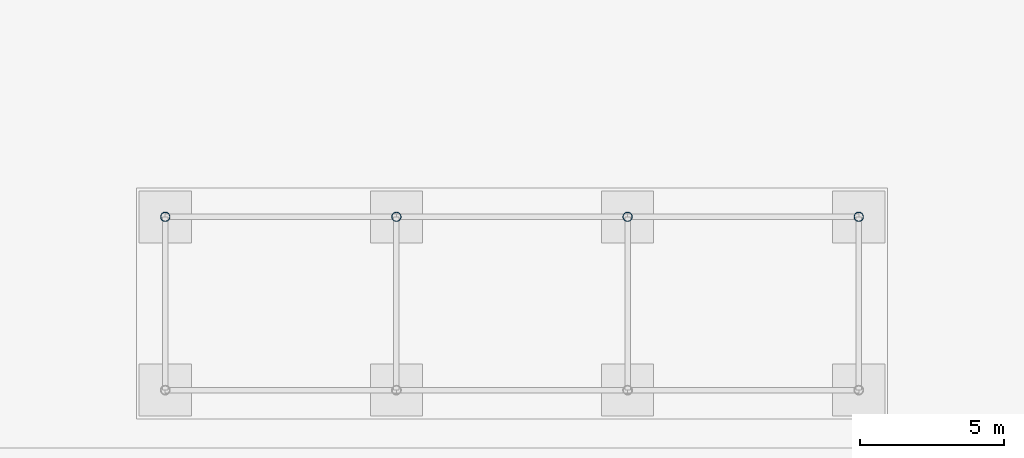
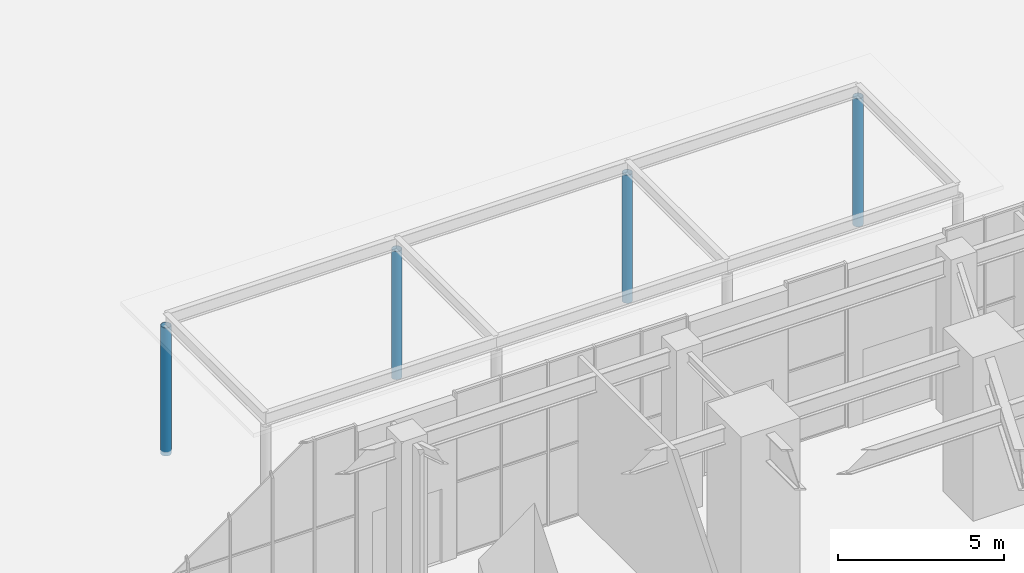
# One storey, part 4 of 43: 4 columns.
"""IFC4 building model written with IfcOpenShell, lengths in metres."""

import ifcopenshell
import ifcopenshell.guid

model = None  # the IFC model being written
_history = None  # IfcOwnerHistory: only IFC2X3 demands one
_inside = {}  # id of a spatial element -> (the spatial element, [elements in it])
_under = {}  # id of a project, library or spatial element -> (it, [spatial elements below it])
_declared = {}  # id of a project -> (the project, [libraries it declares])
_typed = {}  # id of a type object -> (the type object, [elements of that type])
_made_of = {}  # id of a material, layer set ... -> (it, [elements and type objects made of it])


def new_model(schema):
    """Start an empty IFC model of exactly this schema.

    Asked for "IFC4X3", IfcOpenShell would pick the latest addendum, in which some entities
    have other attributes; the version numbers below select the first issue.
    IFC2X3 requires an IfcOwnerHistory on every rooted entity: one is made here for all.
    """
    global model, _history
    if schema == "IFC4X3":
        model = ifcopenshell.file(schema_version=(4, 3, 0, 0))
    else:
        model = ifcopenshell.file(schema=schema)
    _inside.clear()
    _under.clear()
    _declared.clear()
    _typed.clear()
    _made_of.clear()
    _history = None
    if model.schema == "IFC2X3":
        org = make("IfcOrganization", Name="unknown")
        user = make(
            "IfcPersonAndOrganization",
            ThePerson=make("IfcPerson", FamilyName="unknown"),
            TheOrganization=org,
        )
        app = make(
            "IfcApplication",
            ApplicationDeveloper=org,
            Version="unknown",
            ApplicationFullName="unknown",
            ApplicationIdentifier="unknown",
        )
        _history = make(
            "IfcOwnerHistory",
            OwningUser=user,
            OwningApplication=app,
            ChangeAction="ADDED",
            CreationDate=0,
        )
    return model


def make(cls, **values):
    """One entity of the class cls with the attributes given. An attribute that is None is left unset."""
    return model.create_entity(
        cls, **{name: value for name, value in values.items() if value is not None}
    )


def rooted(cls, **values):
    """An entity with a GlobalId (a new one), such as an element, a storey or a relation."""
    return make(cls, GlobalId=ifcopenshell.guid.new(), OwnerHistory=_history, **values)


def si_unit(unit_type, name, prefix=None):
    """IfcSIUnit, for example si_unit("LENGTHUNIT", "METRE", prefix="MILLI")."""
    return make("IfcSIUnit", UnitType=unit_type, Prefix=prefix, Name=name)


def assignment(units):
    """IfcUnitAssignment: the units of a project."""
    return None if units is None else make("IfcUnitAssignment", Units=units)


def point(xyz):
    """IfcCartesianPoint."""
    return None if xyz is None else make("IfcCartesianPoint", Coordinates=xyz)


def direction(xyz):
    """IfcDirection."""
    return None if xyz is None else make("IfcDirection", DirectionRatios=xyz)


def frame(location, z_axis=None, x_axis=None):
    """IfcAxis2Placement3D, a coordinate frame: its origin and axes. An axis left out is left unset."""
    return make(
        "IfcAxis2Placement3D",
        Location=point(location),
        Axis=direction(z_axis),
        RefDirection=direction(x_axis),
    )


def frame_2d(location, x_axis=None):
    """IfcAxis2Placement2D, a coordinate frame in the plane: its origin and x axis."""
    return make(
        "IfcAxis2Placement2D", Location=point(location), RefDirection=direction(x_axis)
    )


def origin():
    """The frame at (0, 0, 0) with its axes left unset."""
    return frame((0.0, 0.0, 0.0))


def origin_2d():
    """The frame at (0, 0) in the plane with its x axis left unset."""
    return frame_2d((0.0, 0.0))


def place(relative_to, where):
    """IfcLocalPlacement: puts the frame where relative to a parent placement (None: the world)."""
    return make(
        "IfcLocalPlacement", PlacementRelTo=relative_to, RelativePlacement=where
    )


def context(
    kind, dimensions, precision=None, world=None, true_north=None, identifier=None
):
    """IfcGeometricRepresentationContext, for example the 3D "Model" context."""
    return make(
        "IfcGeometricRepresentationContext",
        ContextIdentifier=identifier,
        ContextType=kind,
        CoordinateSpaceDimension=dimensions,
        Precision=precision,
        WorldCoordinateSystem=world,
        TrueNorth=true_north,
    )


def subcontext(parent, identifier, kind, view, scale=None):
    """IfcGeometricRepresentationSubContext, for example "Body" below "Model"."""
    return make(
        "IfcGeometricRepresentationSubContext",
        ContextIdentifier=identifier,
        ContextType=kind,
        ParentContext=parent,
        TargetScale=scale,
        TargetView=view,
    )


def project(units=None, contexts=None):
    """IfcProject with its units and contexts."""
    return rooted(
        "IfcProject",
        Name="project",
        RepresentationContexts=contexts,
        UnitsInContext=assignment(units),
    )


def spatial(cls, under=None, at=None, **own):
    """A site, building, storey or space (cls), placed at a placement, below another one or the project."""
    s = rooted(cls, ObjectPlacement=at, **own)
    if under is not None:
        _under.setdefault(under.id(), (under, []))[1].append(s)
    return s


def profile(cls, at=None, kind="AREA", **sizes):
    """A parametric profile (cls). Its sizes go by their IFC names, for example OverallWidth=200.0."""
    return make(cls, ProfileType=kind, Position=at, **sizes)


def hollow_circle(**sizes):
    """IfcCircleHollowProfileDef."""
    return profile("IfcCircleHollowProfileDef", **sizes)


def extrude(swept, where, along, depth):
    """IfcExtrudedAreaSolid: the profile swept, set in the frame where, extruded along a direction by depth."""
    return make(
        "IfcExtrudedAreaSolid",
        SweptArea=swept,
        Position=where,
        ExtrudedDirection=direction(along),
        Depth=depth,
    )


def shape(context_of_items, identifier, shape_type, items):
    """IfcShapeRepresentation: the items that make up one representation, for example the "Body"."""
    return make(
        "IfcShapeRepresentation",
        ContextOfItems=context_of_items,
        RepresentationIdentifier=identifier,
        RepresentationType=shape_type,
        Items=items,
    )


def material(Name=None, Category=None):
    """IfcMaterial."""
    return make("IfcMaterial", Name=Name, Category=Category)


def material_profile(
    of_material, cross_section, Name=None, Category=None, Priority=None
):
    """IfcMaterialProfile: a cross section and its material."""
    return make(
        "IfcMaterialProfile",
        Name=Name,
        Material=of_material,
        Profile=cross_section,
        Priority=Priority,
        Category=Category,
    )


def profile_set(profiles, Name=None, composite=None):
    """IfcMaterialProfileSet."""
    return make(
        "IfcMaterialProfileSet",
        Name=Name,
        MaterialProfiles=profiles,
        CompositeProfile=composite,
    )


def made_of(thing, what):
    """Note that an element or type object is made of a material, layer set ...; save() writes the relation."""
    if what is not None:
        _made_of.setdefault(what.id(), (what, []))[1].append(thing)
    return thing


def type_object(cls, material=None, **own):
    """A type object (cls), such as IfcWallType, which elements share."""
    return made_of(rooted(cls, **own), material)


def element(
    cls,
    number,
    at=None,
    inside=None,
    cuts=None,
    type_object=None,
    material=None,
    context=None,
    identifier="Body",
    shape_type=None,
    held_by="IfcProductDefinitionShape",
    body=None,
    shapes=None,
    **own,
):
    """One element of the class cls, such as IfcWall. Its Tag is "e" and its number.

    at: its placement. inside: the storey or other place that contains it. cuts: it is an
    opening in that element (IfcRelVoidsElement). A single representation is given by context,
    identifier, shape_type and body (its items); several are given by shapes. held_by: the class
    of the entity that holds the representations. save() writes the other relations.
    """
    e = rooted(cls, Tag="e%d" % number, ObjectPlacement=at, **own)
    if body is not None:
        shapes = [shape(context, identifier, shape_type, body)]
    if shapes is not None:
        e.Representation = make(held_by, Representations=shapes)
    if inside is not None:
        _inside.setdefault(inside.id(), (inside, []))[1].append(e)
    if cuts is not None:
        rooted(
            "IfcRelVoidsElement", RelatingBuildingElement=cuts, RelatedOpeningElement=e
        )
    if type_object is not None:
        _typed.setdefault(type_object.id(), (type_object, []))[1].append(e)
    return made_of(e, material)


def aggregate(whole, parts):
    """IfcRelAggregates: a whole, such as a stair, and the parts it consists of."""
    return rooted("IfcRelAggregates", RelatingObject=whole, RelatedObjects=parts)


def save(model, path):
    """Write the relations noted so far, then the file.

    IfcRelAggregates (storeys below a building ...), IfcRelContainedInSpatialStructure (elements
    in a storey), IfcRelDefinesByType, IfcRelAssociatesMaterial and IfcRelDeclares: one each for
    every whole, place, type object, material and project.
    """
    for whole, parts in _under.values():
        aggregate(whole, parts)
    for where, things in _inside.values():
        rooted(
            "IfcRelContainedInSpatialStructure",
            RelatedElements=things,
            RelatingStructure=where,
        )
    for kind, things in _typed.values():
        rooted("IfcRelDefinesByType", RelatedObjects=things, RelatingType=kind)
    for what, things in _made_of.values():
        rooted("IfcRelAssociatesMaterial", RelatedObjects=things, RelatingMaterial=what)
    for by, libraries in _declared.values():
        rooted("IfcRelDeclares", RelatingContext=by, RelatedDefinitions=libraries)
    model.write(path)


model = new_model("IFC4")

# Units and contexts
model_context = context("Model", 3, precision=1e-05, world=origin(), true_north=direction((0.0, 1.0)))
body_context = subcontext(model_context, "Body", "Model", "MODEL_VIEW")
ifc_project = project(units=[si_unit("LENGTHUNIT", "METRE"), si_unit("AREAUNIT", "SQUARE_METRE"), si_unit("VOLUMEUNIT", "CUBIC_METRE"), si_unit("PLANEANGLEUNIT", "RADIAN"), si_unit("MASSUNIT", "GRAM", prefix="KILO")], contexts=[model_context])

# Site, building, storey
site_placement = place(None, origin())
site = spatial("IfcSite", under=ifc_project, at=site_placement, CompositionType="ELEMENT")
building_placement = place(site_placement, origin())
building = spatial("IfcBuilding", under=site, at=building_placement, Name="Nakasero Lantern House", CompositionType="ELEMENT")
storey_placement = place(building_placement, origin())
storey = spatial("IfcBuildingStorey", under=building, at=storey_placement, Name="L00", CompositionType="ELEMENT", Elevation=0.0)

# Columns
ifc_material = material(Name="Steel S355", Category="steel")
ifc_material_profile = material_profile(ifc_material, hollow_circle(Radius=0.161865234375, WallThickness=0.012451171875, at=origin_2d()), Name="CHS 323.9x12.5")
ifc_profile_set = profile_set([ifc_material_profile], Name="Steel S355")
column_type = type_object("IfcColumnType", Name="Canopy column CHS 323.9x12.5", PredefinedType="COLUMN", material=ifc_profile_set)
for number, where, z_axis, x_axis, name in (
    (1, (-12.0, 37.0, -0.14990234375), (0.0, 0.0, 1.0), (1.0, 0.0, 0.0), "Canopy column 01"),
    (2, (-4.0, 37.0, -0.14990234375), (0.0, 0.0, 1.0), (1.0, 0.0, 0.0), "Canopy column 11"),
    (3, (4.0, 37.0, -0.14990234375), (0.0, 0.0, 1.0), (1.0, 0.0, 0.0), "Canopy column 21"),
    (4, (12.0, 37.0, -0.14990234375), (0.0, 0.0, 1.0), (1.0, 0.0, 0.0), "Canopy column 31"),
):
    element("IfcColumn", number, at=place(storey_placement, frame(where, z_axis=z_axis, x_axis=x_axis)), inside=storey, type_object=column_type, Name=name, PredefinedType="COLUMN", context=body_context, shape_type="SweptSolid", body=[
        extrude(hollow_circle(Radius=0.161865234375, WallThickness=0.012451171875, at=origin_2d()), origin(), (0.0, 0.0, 1.0), 4.696533203125),
    ])

save(model, "model.ifc")
